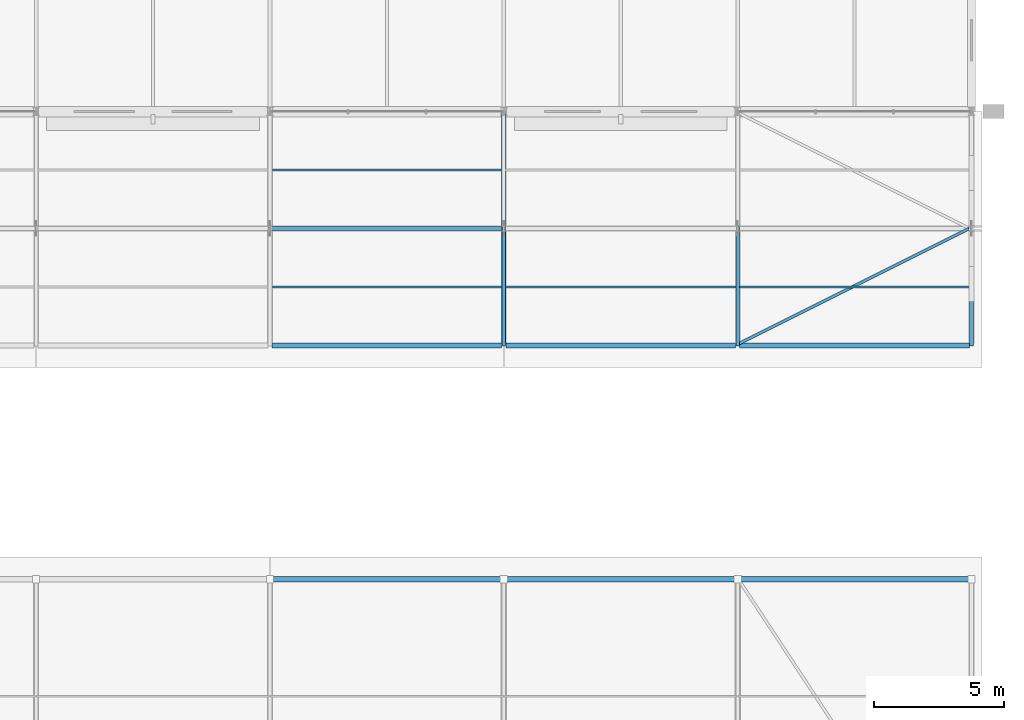
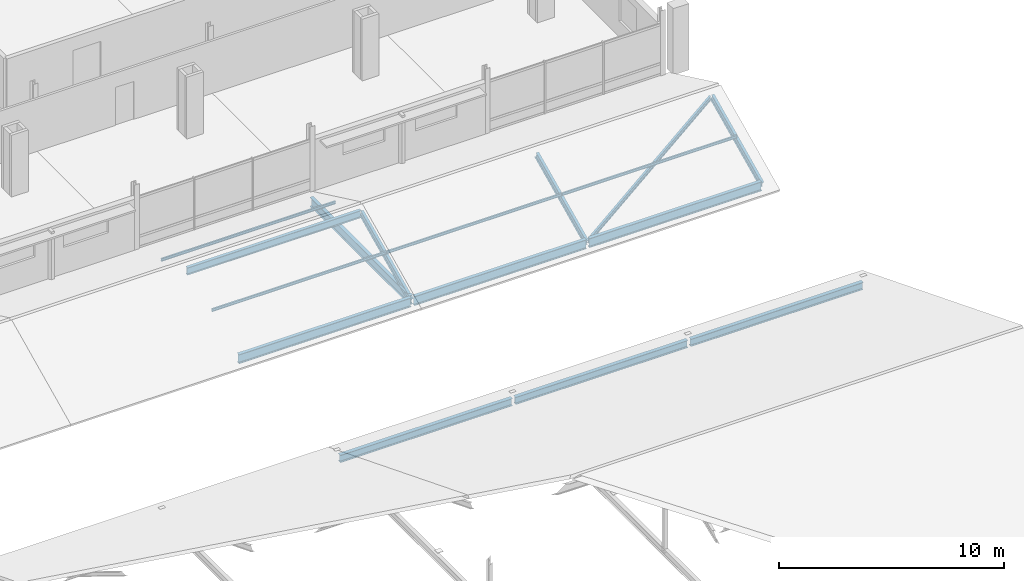
# One storey, part 79 of 132: 9 members, 7 beams.
"""IFC4 building model written with IfcOpenShell, lengths in metres."""

from ifc_helpers import new_model, si_unit, direction, frame, origin, origin_2d, place, context, subcontext, project, spatial, i_section, extrude, material, material_profile, profile_set, type_object, element, save


model = new_model("IFC4")

# Units and contexts
model_context = context("Model", 3, precision=1e-05, world=origin(), true_north=direction((0.0, 1.0)))
body_context = subcontext(model_context, "Body", "Model", "MODEL_VIEW")
ifc_project = project(units=[si_unit("LENGTHUNIT", "METRE"), si_unit("AREAUNIT", "SQUARE_METRE"), si_unit("VOLUMEUNIT", "CUBIC_METRE"), si_unit("PLANEANGLEUNIT", "RADIAN"), si_unit("MASSUNIT", "GRAM", prefix="KILO")], contexts=[model_context])

# Site, building, storey
site_placement = place(None, origin())
site = spatial("IfcSite", under=ifc_project, at=site_placement, CompositionType="ELEMENT")
building_placement = place(site_placement, origin())
building = spatial("IfcBuilding", under=site, at=building_placement, Name="Tharagai Park Tramway Depot", CompositionType="ELEMENT")
storey_placement = place(building_placement, frame((0.0, 0.0, 4.800048828125)))
storey = spatial("IfcBuildingStorey", under=building, at=storey_placement, Name="L01", CompositionType="ELEMENT", Elevation=4.800048828125)

# Beams
ifc_material_1 = material(Name="Steel E350", Category="steel")
ifc_material_profile_1 = material_profile(ifc_material_1, i_section(OverallWidth=0.199951171875, OverallDepth=0.39990234375, WebThickness=0.008544921875, FlangeThickness=0.012939453125, FilletRadius=0.013916015625, at=origin_2d()), Name="ISWB 400")
ifc_profile_set_1 = profile_set([ifc_material_profile_1], Name="Steel E350")
beam_type_1 = type_object("IfcBeamType", Name="BM-05", PredefinedType="BEAM", material=ifc_profile_set_1)
for number, where, z_axis, x_axis, name in (
    (1, (189.080078125, 81.0, -0.449951171875), (1.0, 0.0, 0.0), (0.0, 1.0, 0.0), "V6 Roof Eave Girder BM-05"),
    (2, (198.080078125, 81.0, -0.449951171875), (1.0, 0.0, 0.0), (0.0, 1.0, 0.0), "V6 Roof Eave Girder BM-05"),
    (3, (207.080078125, 81.0, -0.449951171875), (1.0, 0.0, 0.0), (0.0, 1.0, 0.0), "V6 Roof Eave Girder BM-05"),
):
    element("IfcBeam", number, at=place(storey_placement, frame(where, z_axis=z_axis, x_axis=x_axis)), inside=storey, type_object=beam_type_1, Name=name, PredefinedType="BEAM", context=body_context, shape_type="SweptSolid", body=[
        extrude(i_section(OverallWidth=0.199951171875, OverallDepth=0.39990234375, WebThickness=0.008544921875, FlangeThickness=0.012939453125, FilletRadius=0.013916015625, at=origin_2d()), origin(), (0.0, 0.0, 1.0), 8.83984375),
    ])
ifc_material_profile_2 = material_profile(ifc_material_1, i_section(OverallWidth=0.179931640625, OverallDepth=0.5, WebThickness=0.01025390625, FlangeThickness=0.01708984375, FilletRadius=0.01708984375, at=origin_2d()), Name="ISMB 500")
ifc_profile_set_2 = profile_set([ifc_material_profile_2], Name="Steel E350")
beam_type_2 = type_object("IfcBeamType", Name="BM-18", PredefinedType="BEAM", material=ifc_profile_set_2)
for number, where, z_axis, x_axis, name in (
    (4, (189.080078125, 90.0, -0.5), (1.0, 0.0, 0.0), (0.0, 1.0, 0.0), "V3A Roof Eave Girder BM-18"),
    (5, (198.080078125, 90.0, -0.5), (1.0, 0.0, 0.0), (0.0, 1.0, 0.0), "V3A Roof Eave Girder BM-18"),
    (6, (207.080078125, 90.0, -0.5), (1.0, 0.0, 0.0), (0.0, 1.0, 0.0), "V3A Roof Eave Girder BM-18"),
    (7, (198.0, 90.080078125, -0.5), (0.0, 1.0, 0.0), (-1.0, 0.0, 0.0), "V3A Gable Tie Girder BM-18"),
):
    element("IfcBeam", number, at=place(storey_placement, frame(where, z_axis=z_axis, x_axis=x_axis)), inside=storey, type_object=beam_type_2, Name=name, PredefinedType="BEAM", context=body_context, shape_type="SweptSolid", body=[
        extrude(i_section(OverallWidth=0.179931640625, OverallDepth=0.5, WebThickness=0.01025390625, FlangeThickness=0.01708984375, FilletRadius=0.01708984375, at=origin_2d()), origin(), (0.0, 0.0, 1.0), 8.83984375),
    ])

# Members
ifc_material_profile_3 = material_profile(ifc_material_1, i_section(OverallWidth=0.110107421875, OverallDepth=0.22509765625, WebThickness=0.006591796875, FlangeThickness=0.01171875, FilletRadius=0.011962890625, at=origin_2d()), Name="ISMB 225")
ifc_profile_set_3 = profile_set([ifc_material_profile_3], Name="Steel E350")
member_type_1 = type_object("IfcMemberType", Name="BR-04", PredefinedType="BRACE", material=ifc_profile_set_3)
member_1_placement = place(storey_placement, frame((207.080078125, 90.080078125, -0.5), z_axis=(0.875948084723, 0.437974042362, 0.202221885777), x_axis=(-0.4472135955, 0.894427191, 0.0)))
element("IfcMember", 8, at=member_1_placement, inside=storey, type_object=member_type_1, Name="V3A Roof Wind Brace BR-04", PredefinedType="BRACE", context=body_context, shape_type="SweptSolid", body=[
    extrude(i_section(OverallWidth=0.110107421875, OverallDepth=0.22509765625, WebThickness=0.006591796875, FlangeThickness=0.01171875, FilletRadius=0.011962890625, at=origin_2d()), origin(), (0.0, 0.0, 1.0), 10.091796875),
])
ifc_material_2 = material(Name="Steel E250", Category="steel")
ifc_material_profile_4 = material_profile(ifc_material_2, i_section(OverallWidth=0.080078125, OverallDepth=0.14990234375, WebThickness=0.0048828125, FlangeThickness=0.007568359375, FilletRadius=0.009033203125, at=origin_2d()), Name="ISMB 150")
ifc_profile_set_4 = profile_set([ifc_material_profile_4], Name="Steel E250")
member_type_2 = type_object("IfcMemberType", Name="PR-05", PredefinedType="PURLIN", material=ifc_profile_set_4)
for number, where, z_axis, x_axis, name in (
    (9, (189.02001953125, 92.25, 0.771484375), (1.0, 0.0, 0.0), (0.0, 1.0, 0.0), "V3A Roof Purlin PR-05"),
    (10, (189.02001953125, 96.75, 0.771484375), (1.0, 0.0, 0.0), (0.0, 1.0, 0.0), "V3A Roof Purlin PR-05"),
    (11, (198.02001953125, 92.25, 0.771484375), (1.0, 0.0, 0.0), (0.0, 1.0, 0.0), "V3A Roof Purlin PR-05"),
    (12, (207.02001953125, 92.25, 0.771484375), (1.0, 0.0, 0.0), (0.0, 1.0, 0.0), "V3A Roof Purlin PR-05"),
):
    element("IfcMember", number, at=place(storey_placement, frame(where, z_axis=z_axis, x_axis=x_axis)), inside=storey, type_object=member_type_2, Name=name, PredefinedType="PURLIN", context=body_context, shape_type="SweptSolid", body=[
        extrude(i_section(OverallWidth=0.080078125, OverallDepth=0.14990234375, WebThickness=0.0048828125, FlangeThickness=0.007568359375, FilletRadius=0.009033203125, at=origin_2d()), origin(), (0.0, 0.0, 1.0), 8.9599609375),
    ])
ifc_material_profile_5 = material_profile(ifc_material_1, i_section(OverallWidth=0.139892578125, OverallDepth=0.35009765625, WebThickness=0.008056640625, FlangeThickness=0.01416015625, FilletRadius=0.013916015625, at=origin_2d()), Name="ISMB 350")
ifc_profile_set_5 = profile_set([ifc_material_profile_5], Name="Steel E350")
member_type_3 = type_object("IfcMemberType", Name="RF-01", PredefinedType="RAFTER", material=ifc_profile_set_5)
for number, where, z_axis, x_axis, name in (
    (13, (198.0, 90.050048828125, -0.53271484375), (0.0, 0.904482163098, 0.426511449598), (-1.0, 0.0, 0.0), "V3A Pitched Rafter RF-01 South"),
    (14, (207.0, 90.050048828125, -0.53271484375), (0.0, 0.904482163098, 0.426511449598), (-1.0, 0.0, 0.0), "V3A Pitched Rafter RF-01 South"),
    (15, (216.0, 90.050048828125, -0.53271484375), (0.0, 0.904482163098, 0.426511449598), (-1.0, 0.0, 0.0), "V3A Pitched Rafter RF-01 South"),
):
    element("IfcMember", number, at=place(storey_placement, frame(where, z_axis=z_axis, x_axis=x_axis)), inside=storey, type_object=member_type_3, Name=name, PredefinedType="RAFTER", context=body_context, shape_type="SweptSolid", body=[
        extrude(i_section(OverallWidth=0.139892578125, OverallDepth=0.35009765625, WebThickness=0.008056640625, FlangeThickness=0.01416015625, FilletRadius=0.013916015625, at=origin_2d()), origin(), (0.0, 0.0, 1.0), 4.919921875),
    ])
ifc_material_profile_6 = material_profile(ifc_material_1, i_section(OverallWidth=0.1650390625, OverallDepth=0.39990234375, WebThickness=0.008056640625, FlangeThickness=0.012451171875, FilletRadius=0.013916015625, at=origin_2d()), Name="ISLB 400")
ifc_profile_set_6 = profile_set([ifc_material_profile_6], Name="Steel E350")
member_type_4 = type_object("IfcMemberType", Name="TC-04", PredefinedType="CHORD", material=ifc_profile_set_6)
member_2_placement = place(storey_placement, frame((189.0400390625, 94.5, 1.540771484375), z_axis=(1.0, 0.0, 0.0), x_axis=(0.0, 1.0, 0.0)))
element("IfcMember", 16, at=member_2_placement, inside=storey, type_object=member_type_4, Name="V3A Roof Ridge Chord TC-04", PredefinedType="CHORD", context=body_context, shape_type="SweptSolid", body=[
    extrude(i_section(OverallWidth=0.1650390625, OverallDepth=0.39990234375, WebThickness=0.008056640625, FlangeThickness=0.012451171875, FilletRadius=0.013916015625, at=origin_2d()), origin(), (0.0, 0.0, 1.0), 8.919921875),
])

save(model, "model.ifc")
